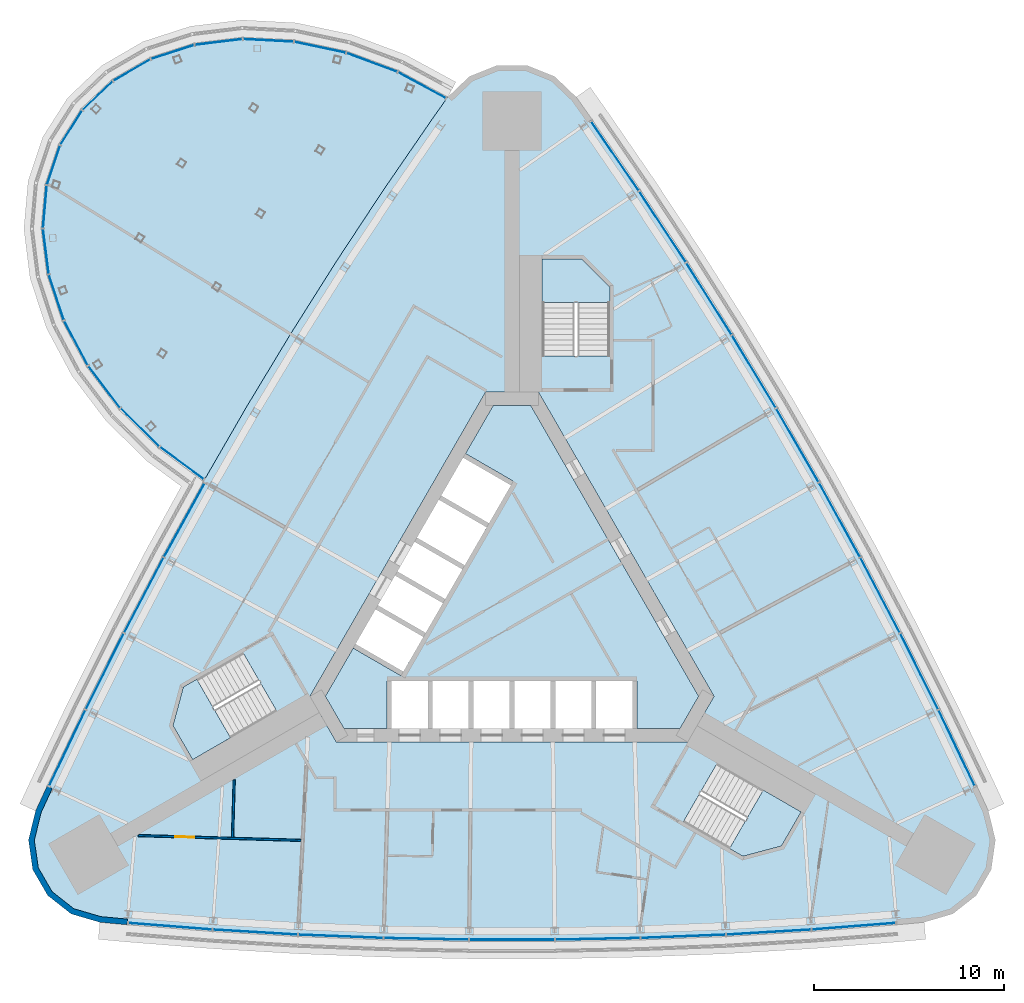
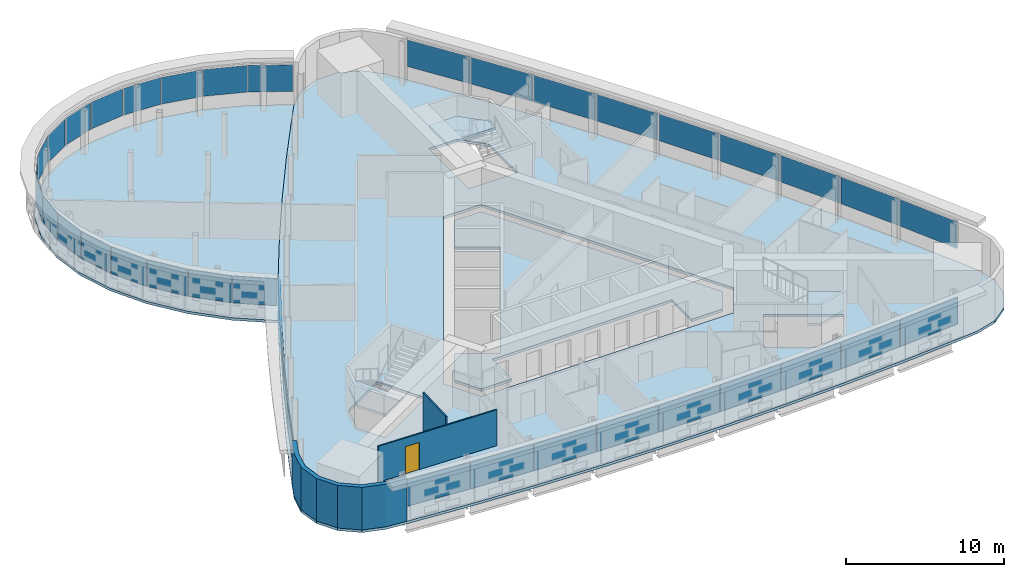
# One storey, part 9 of 16: 39 plates, 6 slabs, 3 walls, 1 door, 1 opening, 7 elements without a shape of their own.
"""IFC4 building model written with IfcOpenShell, lengths in metres."""

from ifc_helpers import new_model, si_unit, direction, frame, frame_2d, origin, origin_2d, place, context, subcontext, project, spatial, polyline, rectangle, outline, extrude, material, layer, layer_set, type_object, element, fill, aggregate, save


model = new_model("IFC4")

# Units and contexts
model_context = context("Model", 3, precision=1e-05, world=origin(), true_north=direction((0.0, 1.0)))
body_context = subcontext(model_context, "Body", "Model", "MODEL_VIEW")
ifc_project = project(units=[si_unit("LENGTHUNIT", "METRE"), si_unit("AREAUNIT", "SQUARE_METRE"), si_unit("VOLUMEUNIT", "CUBIC_METRE"), si_unit("PLANEANGLEUNIT", "RADIAN"), si_unit("MASSUNIT", "GRAM", prefix="KILO")], contexts=[model_context])

# Site, building, storey
site_placement = place(None, origin())
site = spatial("IfcSite", under=ifc_project, at=site_placement, CompositionType="ELEMENT")
building_placement = place(site_placement, origin())
building = spatial("IfcBuilding", under=site, at=building_placement, Name="Noor Cloister Tower", CompositionType="ELEMENT")
storey_placement = place(building_placement, frame((0.0, 0.0, 91.5)))
storey = spatial("IfcBuildingStorey", under=building, at=storey_placement, Name="L23", CompositionType="ELEMENT", Elevation=91.5)

# Slabs
ifc_material_1 = material(Name="Concrete C40/50", Category="concrete")
ifc_layer_1 = layer(ifc_material_1, 0.199951171875)
ifc_layer_set_1 = layer_set([ifc_layer_1], Name="Core floor slab 200 C40/50")
slab_type_1 = type_object("IfcSlabType", Name="Core floor slab 200 C40/50", PredefinedType="FLOOR", material=ifc_layer_set_1)
slab_1_placement = place(storey_placement, frame((0.0, 0.0, -0.199951171875)))
element("IfcSlab", 1, at=slab_1_placement, inside=storey, type_object=slab_type_1, Name="Core floor L23", PredefinedType="FLOOR", context=body_context, shape_type="SweptSolid", body=[
    extrude(outline(polyline([(-6.574951171875, -6.228271484375), (-6.574951171875, -3.728271484375), (6.574951171875, -3.728271484375), (6.574951171875, -6.228271484375), (8.82470703125, -6.228271484375), (9.80615234375, -4.5283203125), (0.9814453125, 10.75634765625), (-0.9814453125, 10.75634765625), (-2.44384765625, 8.2236328125), (0.067626953125, 6.773681640625), (-5.832275390625, -3.4453125), (-8.34375, -1.995361328125), (-9.80615234375, -4.5283203125), (-8.82470703125, -6.228271484375), (-6.574951171875, -6.228271484375)])), origin(), (0.0, 0.0, 1.0), 0.199951171875),
])
ifc_material_2 = material(Name="Concrete C40/50", Category="concrete")
ifc_layer_2 = layer(ifc_material_2, 0.199951171875)
ifc_layer_set_2 = layer_set([ifc_layer_2], Name="Floor slab 200 C40/50")
slab_type_2 = type_object("IfcSlabType", Name="Floor slab 200 C40/50", PredefinedType="FLOOR", material=ifc_layer_set_2)
slab_2_placement = place(storey_placement, frame((0.0, 0.0, -0.199951171875)))
element("IfcSlab", 2, at=slab_2_placement, inside=storey, type_object=slab_type_2, Name="Floor slab L23", PredefinedType="FLOOR", context=body_context, shape_type="SweptSolid", body=[
    extrude(outline(polyline([(3.37548828125, 26.95263671875), (2.240478515625, 28.035400390625), (0.784423828125, 28.61865234375), (-0.784423828125, 28.61865234375), (-2.240478515625, 28.035400390625), (-3.37548828125, 26.95263671875), (-4.204833984375, 25.77978515625), (-6.754150390625, 22.07177734375), (-9.230224609375, 18.314208984375), (-11.6318359375, 14.5087890625), (-13.9580078125, 10.65673828125), (-16.2080078125, 6.759765625), (-18.380859375, 2.819091796875), (-20.475830078125, -1.16357421875), (-22.49169921875, -5.1865234375), (-24.42822265625, -9.24853515625), (-25.029541015625, -10.552978515625), (-25.399658203125, -12.077392578125), (-25.1767578125, -13.630126953125), (-24.392333984375, -14.988525390625), (-23.1591796875, -15.958251953125), (-21.65380859375, -16.399658203125), (-20.2236328125, -16.53125), (-15.737548828125, -16.88525390625), (-11.245361328125, -17.150634765625), (-6.7490234375, -17.327880859375), (-2.25, -17.41650390625), (2.25, -17.41650390625), (6.7490234375, -17.327880859375), (11.245361328125, -17.150634765625), (15.737548828125, -16.88525390625), (20.2236328125, -16.53125), (21.65380859375, -16.399658203125), (23.1591796875, -15.958251953125), (24.392333984375, -14.988525390625), (25.1767578125, -13.630126953125), (25.399658203125, -12.077392578125), (25.029541015625, -10.552978515625), (24.42822265625, -9.24853515625), (22.49169921875, -5.1865234375), (20.475830078125, -1.16357421875), (18.380859375, 2.819091796875), (16.2080078125, 6.759765625), (13.9580078125, 10.65673828125), (11.6318359375, 14.5087890625), (9.230224609375, 18.314208984375), (6.754150390625, 22.07177734375), (4.204833984375, 25.77978515625), (3.37548828125, 26.95263671875)]), holes=[polyline([(8.999755859375, -11.126220703125), (12.131591796875, -12.934326171875), (14.1572265625, -12.3916015625), (15.19091796875, -10.601318359375), (10.774658203125, -8.0517578125), (8.999755859375, -11.126220703125)]), polyline([(-17.81005859375, -6.064697265625), (-16.776611328125, -7.85498046875), (-12.3603515625, -5.305419921875), (-14.13525390625, -2.23095703125), (-16.662841796875, -3.690185546875), (-17.267333984375, -4.039306640625), (-17.81005859375, -6.064697265625)]), polyline([(-10.6142578125, -4.5283203125), (-9.228759765625, -6.92822265625), (9.228759765625, -6.92822265625), (10.6142578125, -4.5283203125), (1.3857421875, 11.456298828125), (-1.3857421875, 11.456298828125), (-10.6142578125, -4.5283203125)]), polyline([(3.65283203125, 18.456298828125), (1.585693359375, 18.456298828125), (1.585693359375, 13.35693359375), (5.135498046875, 13.35693359375), (5.135498046875, 16.9736328125), (3.65283203125, 18.456298828125)])]), origin(), (0.0, 0.0, 1.0), 0.199951171875),
])

# Curtain wall, plates
ifc_material_3 = material(Name="Aluminium 6063-T6 anodised", Category="aluminium")
curtain_wall_type_1 = type_object("IfcCurtainWallType", Name="Ribbon curtain wall, lower tower CW1", PredefinedType="NOTDEFINED", material=ifc_material_3)
curtain_wall_1_placement = place(storey_placement, origin())
curtain_wall_1 = element("IfcCurtainWall", 3, at=curtain_wall_1_placement, inside=storey, type_object=curtain_wall_type_1, Name="CW1 L23 NW run 2", PredefinedType="NOTDEFINED")
ifc_material_4 = material(Name="Clear laminated glass 2 x 8 mm", Category="glass")
ifc_layer_3 = layer(ifc_material_4, 0.028076171875)
ifc_layer_set_3 = layer_set([ifc_layer_3], Name="Glass panel CW1")
plate_type_1 = type_object("IfcPlateType", Name="Glass panel CW1", PredefinedType="CURTAIN_PANEL", material=ifc_layer_set_3)
plate_1_placement = place(storey_placement, frame((-17.21630859375, 4.72412109375, 1.08984375), z_axis=(0.0, 0.0, 1.0), x_axis=(-0.482858038737, -0.875698643614, 0.0)))
plate_1 = element("IfcPlate", 4, at=plate_1_placement, type_object=plate_type_1, Name="CW1 glass panel 1", PredefinedType="CURTAIN_PANEL", context=body_context, shape_type="SweptSolid", body=[
    extrude(rectangle(XDim=4.39892578125, YDim=0.028076171875, at=origin_2d()), origin(), (0.0, 0.0, 1.0), 2.070068359375),
])
plate_2_placement = place(storey_placement, frame((-19.33984375, 0.78125, 1.08984375), z_axis=(0.0, 0.0, 1.0), x_axis=(-0.465528993936, -0.885032629797, 0.0)))
plate_2 = element("IfcPlate", 5, at=plate_2_placement, type_object=plate_type_1, Name="CW1 glass panel 2", PredefinedType="CURTAIN_PANEL", context=body_context, shape_type="SweptSolid", body=[
    extrude(rectangle(XDim=4.43798828125, YDim=0.028076171875, at=origin_2d()), origin(), (0.0, 0.0, 1.0), 2.070068359375),
])
plate_3_placement = place(storey_placement, frame((-21.394287109375, -3.2197265625, 1.08984375), z_axis=(0.0, 0.0, 1.0), x_axis=(-0.448019609919, -0.894023729622, 0.0)))
plate_3 = element("IfcPlate", 6, at=plate_3_placement, type_object=plate_type_1, Name="CW1 glass panel 3", PredefinedType="CURTAIN_PANEL", context=body_context, shape_type="SweptSolid", body=[
    extrude(rectangle(XDim=4.43798828125, YDim=0.028076171875, at=origin_2d()), origin(), (0.0, 0.0, 1.0), 2.070068359375),
])
plate_4_placement = place(storey_placement, frame((-23.361328125, -7.242919921875, 1.08984375), z_axis=(0.0, 0.0, 1.0), x_axis=(-0.430336639105, -0.902668475712, 0.0)))
plate_4 = element("IfcPlate", 7, at=plate_4_placement, type_object=plate_type_1, Name="CW1 glass panel 4", PredefinedType="CURTAIN_PANEL", context=body_context, shape_type="SweptSolid", body=[
    extrude(rectangle(XDim=4.39892578125, YDim=0.028076171875, at=origin_2d()), origin(), (0.0, 0.0, 1.0), 2.070068359375),
])
aggregate(curtain_wall_1, [plate_1, plate_2, plate_3, plate_4])

curtain_wall_2_placement = place(storey_placement, origin())
curtain_wall_2 = element("IfcCurtainWall", 8, at=curtain_wall_2_placement, inside=storey, type_object=curtain_wall_type_1, Name="CW1 L23 S run 3", PredefinedType="NOTDEFINED")
plate_5_placement = place(storey_placement, frame((-17.953125, -16.610107421875, 1.08984375), z_axis=(0.0, 0.0, 1.0), x_axis=(0.996902150714, -0.078651776212, 0.0)))
plate_5 = element("IfcPlate", 9, at=plate_5_placement, type_object=plate_type_1, Name="CW1 glass panel 1", PredefinedType="CURTAIN_PANEL", context=body_context, shape_type="SweptSolid", body=[
    extrude(rectangle(XDim=4.39892578125, YDim=0.028076171875, at=origin_2d()), origin(), (0.0, 0.0, 1.0), 2.070068359375),
])
plate_6_placement = place(storey_placement, frame((-13.485595703125, -16.918212890625, 1.08984375), z_axis=(0.0, 0.0, 1.0), x_axis=(0.998257066399, -0.059015501228, 0.0)))
plate_6 = element("IfcPlate", 10, at=plate_6_placement, type_object=plate_type_1, Name="CW1 glass panel 2", PredefinedType="CURTAIN_PANEL", context=body_context, shape_type="SweptSolid", body=[
    extrude(rectangle(XDim=4.43798828125, YDim=0.028076171875, at=origin_2d()), origin(), (0.0, 0.0, 1.0), 2.070068359375),
])
plate_7_placement = place(storey_placement, frame((-8.993408203125, -17.139404296875, 1.08984375), z_axis=(0.0, 0.0, 1.0), x_axis=(0.99922523755, -0.039356379951, 0.0)))
plate_7 = element("IfcPlate", 11, at=plate_7_placement, type_object=plate_type_1, Name="CW1 glass panel 3", PredefinedType="CURTAIN_PANEL", context=body_context, shape_type="SweptSolid", body=[
    extrude(rectangle(XDim=4.43798828125, YDim=0.028076171875, at=origin_2d()), origin(), (0.0, 0.0, 1.0), 2.070068359375),
])
plate_8_placement = place(storey_placement, frame((-4.49755859375, -17.272216796875, 1.08984375), z_axis=(0.0, 0.0, 1.0), x_axis=(0.999806290798, -0.019681993839, 0.0)))
plate_8 = element("IfcPlate", 12, at=plate_8_placement, type_object=plate_type_1, Name="CW1 glass panel 4", PredefinedType="CURTAIN_PANEL", context=body_context, shape_type="SweptSolid", body=[
    extrude(rectangle(XDim=4.43798828125, YDim=0.028076171875, at=origin_2d()), origin(), (0.0, 0.0, 1.0), 2.070068359375),
])
plate_9_placement = place(storey_placement, frame((0.0, -17.31640625, 1.08984375), z_axis=(0.0, 0.0, 1.0), x_axis=(1.0, 0.0, 0.0)))
plate_9 = element("IfcPlate", 13, at=plate_9_placement, type_object=plate_type_1, Name="CW1 glass panel 5", PredefinedType="CURTAIN_PANEL", context=body_context, shape_type="SweptSolid", body=[
    extrude(rectangle(XDim=4.43798828125, YDim=0.028076171875, at=origin_2d()), origin(), (0.0, 0.0, 1.0), 2.070068359375),
])
plate_10_placement = place(storey_placement, frame((4.49755859375, -17.272216796875, 1.08984375), z_axis=(0.0, 0.0, 1.0), x_axis=(0.999806290798, 0.019681993839, 0.0)))
plate_10 = element("IfcPlate", 14, at=plate_10_placement, type_object=plate_type_1, Name="CW1 glass panel 6", PredefinedType="CURTAIN_PANEL", context=body_context, shape_type="SweptSolid", body=[
    extrude(rectangle(XDim=4.43798828125, YDim=0.028076171875, at=origin_2d()), origin(), (0.0, 0.0, 1.0), 2.070068359375),
])
plate_11_placement = place(storey_placement, frame((8.993408203125, -17.139404296875, 1.08984375), z_axis=(0.0, 0.0, 1.0), x_axis=(0.99922523755, 0.039356379951, 0.0)))
plate_11 = element("IfcPlate", 15, at=plate_11_placement, type_object=plate_type_1, Name="CW1 glass panel 7", PredefinedType="CURTAIN_PANEL", context=body_context, shape_type="SweptSolid", body=[
    extrude(rectangle(XDim=4.43798828125, YDim=0.028076171875, at=origin_2d()), origin(), (0.0, 0.0, 1.0), 2.070068359375),
])
plate_12_placement = place(storey_placement, frame((13.485595703125, -16.918212890625, 1.08984375), z_axis=(0.0, 0.0, 1.0), x_axis=(0.998257066399, 0.059015501228, 0.0)))
plate_12 = element("IfcPlate", 16, at=plate_12_placement, type_object=plate_type_1, Name="CW1 glass panel 8", PredefinedType="CURTAIN_PANEL", context=body_context, shape_type="SweptSolid", body=[
    extrude(rectangle(XDim=4.43798828125, YDim=0.028076171875, at=origin_2d()), origin(), (0.0, 0.0, 1.0), 2.070068359375),
])
plate_13_placement = place(storey_placement, frame((17.953125, -16.610107421875, 1.08984375), z_axis=(0.0, 0.0, 1.0), x_axis=(0.996902150714, 0.078651776212, 0.0)))
plate_13 = element("IfcPlate", 17, at=plate_13_placement, type_object=plate_type_1, Name="CW1 glass panel 9", PredefinedType="CURTAIN_PANEL", context=body_context, shape_type="SweptSolid", body=[
    extrude(rectangle(XDim=4.39892578125, YDim=0.028076171875, at=origin_2d()), origin(), (0.0, 0.0, 1.0), 2.070068359375),
])
aggregate(curtain_wall_2, [plate_5, plate_6, plate_7, plate_8, plate_9, plate_10, plate_11, plate_12, plate_13])

curtain_wall_3_placement = place(storey_placement, origin())
curtain_wall_3 = element("IfcCurtainWall", 18, at=curtain_wall_3_placement, inside=storey, type_object=curtain_wall_type_1, Name="CW1 L23 NE run 4", PredefinedType="NOTDEFINED")
plate_14_placement = place(storey_placement, frame((23.361328125, -7.242919921875, 1.08984375), z_axis=(0.0, 0.0, 1.0), x_axis=(-0.430336639105, 0.902668475712, 0.0)))
plate_14 = element("IfcPlate", 19, at=plate_14_placement, type_object=plate_type_1, Name="CW1 glass panel 1", PredefinedType="CURTAIN_PANEL", context=body_context, shape_type="SweptSolid", body=[
    extrude(rectangle(XDim=4.39892578125, YDim=0.028076171875, at=origin_2d()), origin(), (0.0, 0.0, 1.0), 2.070068359375),
])
plate_15_placement = place(storey_placement, frame((21.394287109375, -3.2197265625, 1.08984375), z_axis=(0.0, 0.0, 1.0), x_axis=(-0.448019609919, 0.894023729622, 0.0)))
plate_15 = element("IfcPlate", 20, at=plate_15_placement, type_object=plate_type_1, Name="CW1 glass panel 2", PredefinedType="CURTAIN_PANEL", context=body_context, shape_type="SweptSolid", body=[
    extrude(rectangle(XDim=4.43798828125, YDim=0.028076171875, at=origin_2d()), origin(), (0.0, 0.0, 1.0), 2.070068359375),
])
plate_16_placement = place(storey_placement, frame((19.33984375, 0.78125, 1.08984375), z_axis=(0.0, 0.0, 1.0), x_axis=(-0.465528993936, 0.885032629797, 0.0)))
plate_16 = element("IfcPlate", 21, at=plate_16_placement, type_object=plate_type_1, Name="CW1 glass panel 3", PredefinedType="CURTAIN_PANEL", context=body_context, shape_type="SweptSolid", body=[
    extrude(rectangle(XDim=4.43798828125, YDim=0.028076171875, at=origin_2d()), origin(), (0.0, 0.0, 1.0), 2.070068359375),
])
plate_17_placement = place(storey_placement, frame((17.206787109375, 4.7412109375, 1.08984375), z_axis=(0.0, 0.0, 1.0), x_axis=(-0.482858038737, 0.875698643614, 0.0)))
plate_17 = element("IfcPlate", 22, at=plate_17_placement, type_object=plate_type_1, Name="CW1 glass panel 4", PredefinedType="CURTAIN_PANEL", context=body_context, shape_type="SweptSolid", body=[
    extrude(rectangle(XDim=4.43798828125, YDim=0.028076171875, at=origin_2d()), origin(), (0.0, 0.0, 1.0), 2.070068359375),
])
plate_18_placement = place(storey_placement, frame((14.996337890625, 8.658203125, 1.08984375), z_axis=(0.0, 0.0, 1.0), x_axis=(-0.5, 0.866025403784, 0.0)))
plate_18 = element("IfcPlate", 23, at=plate_18_placement, type_object=plate_type_1, Name="CW1 glass panel 5", PredefinedType="CURTAIN_PANEL", context=body_context, shape_type="SweptSolid", body=[
    extrude(rectangle(XDim=4.43798828125, YDim=0.028076171875, at=origin_2d()), origin(), (0.0, 0.0, 1.0), 2.070068359375),
])
plate_19_placement = place(storey_placement, frame((12.70947265625, 12.531005859375, 1.08984375), z_axis=(0.0, 0.0, 1.0), x_axis=(-0.516948252061, 0.856016649775, 0.0)))
plate_19 = element("IfcPlate", 24, at=plate_19_placement, type_object=plate_type_1, Name="CW1 glass panel 6", PredefinedType="CURTAIN_PANEL", context=body_context, shape_type="SweptSolid", body=[
    extrude(rectangle(XDim=4.43798828125, YDim=0.028076171875, at=origin_2d()), origin(), (0.0, 0.0, 1.0), 2.070068359375),
])
plate_20_placement = place(storey_placement, frame((10.346435546875, 16.358154296875, 1.08984375), z_axis=(0.0, 0.0, 1.0), x_axis=(-0.533696243614, 0.845676249845, 0.0)))
plate_20 = element("IfcPlate", 25, at=plate_20_placement, type_object=plate_type_1, Name="CW1 glass panel 7", PredefinedType="CURTAIN_PANEL", context=body_context, shape_type="SweptSolid", body=[
    extrude(rectangle(XDim=4.43798828125, YDim=0.028076171875, at=origin_2d()), origin(), (0.0, 0.0, 1.0), 2.070068359375),
])
plate_21_placement = place(storey_placement, frame((7.90869140625, 20.137939453125, 1.08984375), z_axis=(0.0, 0.0, 1.0), x_axis=(-0.550237456479, 0.835008228395, 0.0)))
plate_21 = element("IfcPlate", 26, at=plate_21_placement, type_object=plate_type_1, Name="CW1 glass panel 8", PredefinedType="CURTAIN_PANEL", context=body_context, shape_type="SweptSolid", body=[
    extrude(rectangle(XDim=4.43798828125, YDim=0.028076171875, at=origin_2d()), origin(), (0.0, 0.0, 1.0), 2.070068359375),
])
plate_22_placement = place(storey_placement, frame((5.408203125, 23.85302734375, 1.08984375), z_axis=(0.0, 0.0, 1.0), x_axis=(-0.566565511609, 0.8240166995, 0.0)))
plate_22 = element("IfcPlate", 27, at=plate_22_placement, type_object=plate_type_1, Name="CW1 glass panel 9", PredefinedType="CURTAIN_PANEL", context=body_context, shape_type="SweptSolid", body=[
    extrude(rectangle(XDim=4.39892578125, YDim=0.028076171875, at=origin_2d()), origin(), (0.0, 0.0, 1.0), 2.070068359375),
])
aggregate(curtain_wall_3, [plate_14, plate_15, plate_16, plate_17, plate_18, plate_19, plate_20, plate_21, plate_22])

ifc_material_5 = material(Name="Aluminium 6063-T6 anodised", Category="aluminium")
curtain_wall_type_2 = type_object("IfcCurtainWallType", Name="Sky bar curtain wall, lower bars CW2", PredefinedType="NOTDEFINED", material=ifc_material_5)
curtain_wall_4_placement = place(storey_placement, origin())
curtain_wall_4 = element("IfcCurtainWall", 28, at=curtain_wall_4_placement, inside=storey, type_object=curtain_wall_type_2, Name="CW2 L23 NW sky bar run 1", PredefinedType="NOTDEFINED")
ifc_material_6 = material(Name="Clear laminated glass 2 x 8 mm", Category="glass")
ifc_layer_4 = layer(ifc_material_6, 0.028076171875)
ifc_layer_set_4 = layer_set([ifc_layer_4], Name="Glass panel CW2")
plate_type_2 = type_object("IfcPlateType", Name="Glass panel CW2", PredefinedType="CURTAIN_PANEL", material=ifc_layer_set_4)
plate_23_placement = place(storey_placement, frame((-4.73291015625, 27.5751953125, 1.08984375), z_axis=(0.0, 0.0, 1.0), x_axis=(-0.879047686992, 0.476733850271, 0.0)))
plate_23 = element("IfcPlate", 29, at=plate_23_placement, type_object=plate_type_2, Name="CW2 glass panel 1", PredefinedType="CURTAIN_PANEL", context=body_context, shape_type="SweptSolid", body=[
    extrude(rectangle(XDim=2.83984375, YDim=0.028076171875, at=origin_2d()), origin(), (0.0, 0.0, 1.0), 2.070068359375),
])
plate_24_placement = place(storey_placement, frame((-7.361328125, 28.7705078125, 1.08984375), z_axis=(0.0, 0.0, 1.0), x_axis=(-0.937123819566, 0.348997058443, 0.0)))
plate_24 = element("IfcPlate", 30, at=plate_24_placement, type_object=plate_type_2, Name="CW2 glass panel 2", PredefinedType="CURTAIN_PANEL", context=body_context, shape_type="SweptSolid", body=[
    extrude(rectangle(XDim=2.828857421875, YDim=0.028076171875, at=origin_2d()), origin(), (0.0, 0.0, 1.0), 2.070068359375),
])
plate_25_placement = place(storey_placement, frame((-10.0869140625, 29.566650390625, 1.08984375), z_axis=(0.0, 0.0, 1.0), x_axis=(-0.978091544685, 0.208175239201, 0.0)))
plate_25 = element("IfcPlate", 31, at=plate_25_placement, type_object=plate_type_2, Name="CW2 glass panel 3", PredefinedType="CURTAIN_PANEL", context=body_context, shape_type="SweptSolid", body=[
    extrude(rectangle(XDim=2.744873046875, YDim=0.028076171875, at=origin_2d()), origin(), (0.0, 0.0, 1.0), 2.070068359375),
])
plate_26_placement = place(storey_placement, frame((-12.801513671875, 29.9287109375, 1.08984375), z_axis=(0.0, 0.0, 1.0), x_axis=(-0.998642464858, 0.052088649262, 0.0)))
plate_26 = element("IfcPlate", 32, at=plate_26_placement, type_object=plate_type_2, Name="CW2 glass panel 4", PredefinedType="CURTAIN_PANEL", context=body_context, shape_type="SweptSolid", body=[
    extrude(rectangle(XDim=2.62890625, YDim=0.028076171875, at=origin_2d()), origin(), (0.0, 0.0, 1.0), 2.070068359375),
])
plate_27_placement = place(storey_placement, frame((-15.412109375, 29.8447265625, 1.08984375), z_axis=(0.0, 0.0, 1.0), x_axis=(-0.992712056582, -0.12051046725, 0.0)))
plate_27 = element("IfcPlate", 33, at=plate_27_placement, type_object=plate_type_2, Name="CW2 glass panel 5", PredefinedType="CURTAIN_PANEL", context=body_context, shape_type="SweptSolid", body=[
    extrude(rectangle(XDim=2.493896484375, YDim=0.028076171875, at=origin_2d()), origin(), (0.0, 0.0, 1.0), 2.070068359375),
])
plate_28_placement = place(storey_placement, frame((-17.82958984375, 29.31884765625, 1.08984375), z_axis=(0.0, 0.0, 1.0), x_axis=(-0.9514061289, -0.307938919091, 0.0)))
plate_28 = element("IfcPlate", 34, at=plate_28_placement, type_object=plate_type_2, Name="CW2 glass panel 6", PredefinedType="CURTAIN_PANEL", context=body_context, shape_type="SweptSolid", body=[
    extrude(rectangle(XDim=2.356201171875, YDim=0.028076171875, at=origin_2d()), origin(), (0.0, 0.0, 1.0), 2.070068359375),
])
plate_29_placement = place(storey_placement, frame((-19.971435546875, 28.36962890625, 1.08984375), z_axis=(0.0, 0.0, 1.0), x_axis=(-0.864505116655, -0.502624017808, 0.0)))
plate_29 = element("IfcPlate", 35, at=plate_29_placement, type_object=plate_type_2, Name="CW2 glass panel 7", PredefinedType="CURTAIN_PANEL", context=body_context, shape_type="SweptSolid", body=[
    extrude(rectangle(XDim=2.235595703125, YDim=0.028076171875, at=origin_2d()), origin(), (0.0, 0.0, 1.0), 2.070068359375),
])
plate_30_placement = place(storey_placement, frame((-21.76611328125, 27.03076171875, 1.08984375), z_axis=(0.0, 0.0, 1.0), x_axis=(-0.725047879646, -0.688698462479, 0.0)))
plate_30 = element("IfcPlate", 36, at=plate_30_placement, type_object=plate_type_2, Name="CW2 glass panel 8", PredefinedType="CURTAIN_PANEL", context=body_context, shape_type="SweptSolid", body=[
    extrude(rectangle(XDim=2.152099609375, YDim=0.028076171875, at=origin_2d()), origin(), (0.0, 0.0, 1.0), 2.070068359375),
])
plate_31_placement = place(storey_placement, frame((-23.15380859375, 25.34765625, 1.08984375), z_axis=(0.0, 0.0, 1.0), x_axis=(-0.53635025801, -0.843995498052, 0.0)))
plate_31 = element("IfcPlate", 37, at=plate_31_placement, type_object=plate_type_2, Name="CW2 glass panel 9", PredefinedType="CURTAIN_PANEL", context=body_context, shape_type="SweptSolid", body=[
    extrude(rectangle(XDim=2.122314453125, YDim=0.028076171875, at=origin_2d()), origin(), (0.0, 0.0, 1.0), 2.070068359375),
])
plate_32_placement = place(storey_placement, frame((-24.08837890625, 23.37646484375, 1.08984375), z_axis=(0.0, 0.0, 1.0), x_axis=(-0.315619674124, -0.948885778851, 0.0)))
plate_32 = element("IfcPlate", 38, at=plate_32_placement, type_object=plate_type_2, Name="CW2 glass panel 10", PredefinedType="CURTAIN_PANEL", context=body_context, shape_type="SweptSolid", body=[
    extrude(rectangle(XDim=2.152099609375, YDim=0.028076171875, at=origin_2d()), origin(), (0.0, 0.0, 1.0), 2.070068359375),
])
plate_33_placement = place(storey_placement, frame((-24.53857421875, 21.18310546875, 1.08984375), z_axis=(0.0, 0.0, 1.0), x_axis=(-0.087934891536, -0.996126224356, 0.0)))
plate_33 = element("IfcPlate", 39, at=plate_33_placement, type_object=plate_type_2, Name="CW2 glass panel 11", PredefinedType="CURTAIN_PANEL", context=body_context, shape_type="SweptSolid", body=[
    extrude(rectangle(XDim=2.235595703125, YDim=0.028076171875, at=origin_2d()), origin(), (0.0, 0.0, 1.0), 2.070068359375),
])
plate_34_placement = place(storey_placement, frame((-24.488037109375, 18.8408203125, 1.08984375), z_axis=(0.0, 0.0, 1.0), x_axis=(0.125227226329, -0.992128087389, 0.0)))
plate_34 = element("IfcPlate", 40, at=plate_34_placement, type_object=plate_type_2, Name="CW2 glass panel 12", PredefinedType="CURTAIN_PANEL", context=body_context, shape_type="SweptSolid", body=[
    extrude(rectangle(XDim=2.356201171875, YDim=0.028076171875, at=origin_2d()), origin(), (0.0, 0.0, 1.0), 2.070068359375),
])
plate_35_placement = place(storey_placement, frame((-23.937744140625, 16.4287109375, 1.08984375), z_axis=(0.0, 0.0, 1.0), x_axis=(0.312457260775, -0.949931818705, 0.0)))
plate_35 = element("IfcPlate", 41, at=plate_35_placement, type_object=plate_type_2, Name="CW2 glass panel 13", PredefinedType="CURTAIN_PANEL", context=body_context, shape_type="SweptSolid", body=[
    extrude(rectangle(XDim=2.493896484375, YDim=0.028076171875, at=origin_2d()), origin(), (0.0, 0.0, 1.0), 2.070068359375),
])
plate_36_placement = place(storey_placement, frame((-22.905029296875, 14.029541015625, 1.08984375), z_axis=(0.0, 0.0, 1.0), x_axis=(0.471239018454, -0.882005548444, 0.0)))
plate_36 = element("IfcPlate", 42, at=plate_36_placement, type_object=plate_type_2, Name="CW2 glass panel 14", PredefinedType="CURTAIN_PANEL", context=body_context, shape_type="SweptSolid", body=[
    extrude(rectangle(XDim=2.62890625, YDim=0.028076171875, at=origin_2d()), origin(), (0.0, 0.0, 1.0), 2.070068359375),
])
plate_37_placement = place(storey_placement, frame((-21.424560546875, 11.725830078125, 1.08984375), z_axis=(0.0, 0.0, 1.0), x_axis=(0.603825610907, -0.797116447963, 0.0)))
plate_37 = element("IfcPlate", 43, at=plate_37_placement, type_object=plate_type_2, Name="CW2 glass panel 15", PredefinedType="CURTAIN_PANEL", context=body_context, shape_type="SweptSolid", body=[
    extrude(rectangle(XDim=2.744873046875, YDim=0.028076171875, at=origin_2d()), origin(), (0.0, 0.0, 1.0), 2.070068359375),
])
plate_38_placement = place(storey_placement, frame((-19.54638671875, 9.59619140625, 1.08984375), z_axis=(0.0, 0.0, 1.0), x_axis=(0.713922028433, -0.700225204715, 0.0)))
plate_38 = element("IfcPlate", 44, at=plate_38_placement, type_object=plate_type_2, Name="CW2 glass panel 16", PredefinedType="CURTAIN_PANEL", context=body_context, shape_type="SweptSolid", body=[
    extrude(rectangle(XDim=2.828857421875, YDim=0.028076171875, at=origin_2d()), origin(), (0.0, 0.0, 1.0), 2.070068359375),
])
plate_39_placement = place(storey_placement, frame((-17.347900390625, 7.724365234375, 1.08984375), z_axis=(0.0, 0.0, 1.0), x_axis=(0.804906671058, -0.593401424742, 0.0)))
plate_39 = element("IfcPlate", 45, at=plate_39_placement, type_object=plate_type_2, Name="CW2 glass panel 17", PredefinedType="CURTAIN_PANEL", context=body_context, shape_type="SweptSolid", body=[
    extrude(rectangle(XDim=2.83984375, YDim=0.028076171875, at=origin_2d()), origin(), (0.0, 0.0, 1.0), 2.070068359375),
])
aggregate(curtain_wall_4, [plate_23, plate_24, plate_25, plate_26, plate_27, plate_28, plate_29, plate_30, plate_31, plate_32, plate_33, plate_34, plate_35, plate_36, plate_37, plate_38, plate_39])

# Slab
ifc_material_7 = material(Name="Concrete C40/50", Category="concrete")
ifc_layer_5 = layer(ifc_material_7, 0.199951171875)
ifc_layer_set_5 = layer_set([ifc_layer_5], Name="Pod floor slab 200")
slab_type_3 = type_object("IfcSlabType", Name="Pod floor slab 200", PredefinedType="FLOOR", material=ifc_layer_set_5)
slab_3_placement = place(storey_placement, frame((0.0, 0.0, -0.199951171875)))
element("IfcSlab", 46, at=slab_3_placement, inside=storey, type_object=slab_type_3, Name="Pod floor slab L23", PredefinedType="FLOOR", context=body_context, shape_type="SweptSolid", body=[
    extrude(outline(polyline([(-3.37548828125, 26.95263671875), (-5.96630859375, 28.357666015625), (-8.68701171875, 29.370849609375), (-11.445556640625, 29.9580078125), (-14.147705078125, 30.098876953125), (-16.70166015625, 29.7890625), (-19.02001953125, 29.03857421875), (-21.0244140625, 27.873291015625), (-22.646240234375, 26.332763671875), (-23.830078125, 24.469482421875), (-24.5361328125, 22.34716796875), (-24.739990234375, 20.03759765625), (-24.434814453125, 17.619873046875), (-23.631103515625, 15.17626953125), (-22.35595703125, 12.78955078125), (-20.65283203125, 10.54150390625), (-18.580078125, 8.508544921875), (-16.2080078125, 6.759765625), (-13.9580078125, 10.65673828125), (-11.6318359375, 14.5087890625), (-9.230224609375, 18.314208984375), (-6.754150390625, 22.07177734375), (-4.204833984375, 25.77978515625), (-3.37548828125, 26.95263671875)])), origin(), (0.0, 0.0, 1.0), 0.199951171875),
])

# Stair, slab
ifc_material_8 = material(Name="Concrete C40/50", Category="concrete")
stair_type = type_object("IfcStairType", Name="Exit stair 22 risers", PredefinedType="HALF_TURN_STAIR", material=ifc_material_8)
stair_1_placement = place(storey_placement, origin())
stair_1 = element("IfcStair", 47, at=stair_1_placement, inside=storey, type_object=stair_type, Name="Exit stair ST1 L23", PredefinedType="HALF_TURN_STAIR")
ifc_material_9 = material(Name="Concrete C40/50", Category="concrete")
ifc_layer_6 = layer(ifc_material_9, 0.199951171875)
ifc_layer_set_6 = layer_set([ifc_layer_6], Name="Stair landing 200 C40/50")
slab_type_4 = type_object("IfcSlabType", Name="Stair landing 200 C40/50", PredefinedType="LANDING", material=ifc_layer_set_6)
slab_4_placement = place(storey_placement, frame((0.0, 0.0, 1.60009765625)))
slab_4 = element("IfcSlab", 48, at=slab_4_placement, type_object=slab_type_4, Name="ST1 landing 1", PredefinedType="LANDING", context=body_context, shape_type="SweptSolid", body=[
    extrude(outline(polyline([(5.135498046875, 16.15576171875), (5.135498046875, 16.9736328125), (3.65283203125, 18.456298828125), (1.585693359375, 18.456298828125), (1.585693359375, 16.15576171875), (5.135498046875, 16.15576171875)])), origin(), (0.0, 0.0, 1.0), 0.199951171875),
])
aggregate(stair_1, [slab_4])

stair_2_placement = place(storey_placement, origin())
stair_2 = element("IfcStair", 49, at=stair_2_placement, inside=storey, type_object=stair_type, Name="Exit stair ST2 L23", PredefinedType="HALF_TURN_STAIR")
slab_5_placement = place(storey_placement, frame((0.0, 0.0, 1.60009765625)))
slab_5 = element("IfcSlab", 50, at=slab_5_placement, type_object=slab_type_4, Name="ST2 landing 1", PredefinedType="LANDING", context=body_context, shape_type="SweptSolid", body=[
    extrude(outline(polyline([(-16.55908203125, -3.63037109375), (-17.267333984375, -4.039306640625), (-17.81005859375, -6.064697265625), (-16.776611328125, -7.85498046875), (-14.7841796875, -6.70458984375), (-16.55908203125, -3.63037109375)])), origin(), (0.0, 0.0, 1.0), 0.199951171875),
])
aggregate(stair_2, [slab_5])

stair_3_placement = place(storey_placement, origin())
stair_3 = element("IfcStair", 51, at=stair_3_placement, inside=storey, type_object=stair_type, Name="Exit stair ST3 L23", PredefinedType="HALF_TURN_STAIR")
slab_6_placement = place(storey_placement, frame((0.0, 0.0, 1.60009765625)))
slab_6 = element("IfcSlab", 52, at=slab_6_placement, type_object=slab_type_4, Name="ST3 landing 1", PredefinedType="LANDING", context=body_context, shape_type="SweptSolid", body=[
    extrude(outline(polyline([(11.423583984375, -12.525390625), (12.131591796875, -12.934326171875), (14.1572265625, -12.3916015625), (15.19091796875, -10.601318359375), (13.198486328125, -9.451171875), (11.423583984375, -12.525390625)])), origin(), (0.0, 0.0, 1.0), 0.199951171875),
])
aggregate(stair_3, [slab_6])

# Wall
ifc_material_10 = material(Name="Limestone", Category="masonry")
ifc_layer_7 = layer(ifc_material_10, 0.300048828125)
ifc_layer_set_7 = layer_set([ifc_layer_7], Name="Limestone cladding 300")
wall_type_1 = type_object("IfcWallType", Name="Limestone cladding 300", PredefinedType="NOTDEFINED", material=ifc_layer_set_7)
wall_1_placement = place(storey_placement, origin())
element("IfcWall", 53, at=wall_1_placement, inside=storey, type_object=wall_type_1, Name="Limestone pier cladding L23 1.1", PredefinedType="NOTDEFINED", context=body_context, shape_type="SweptSolid", body=[
    extrude(outline(polyline([(-24.42822265625, -9.24853515625), (-25.029541015625, -10.552978515625), (-25.399658203125, -12.077392578125), (-25.1767578125, -13.630126953125), (-24.392333984375, -14.988525390625), (-23.1591796875, -15.958251953125), (-21.65380859375, -16.399658203125), (-20.2236328125, -16.53125), (-20.196044921875, -16.232421875), (-21.597412109375, -16.103515625), (-23.019287109375, -15.6865234375), (-24.161376953125, -14.78857421875), (-24.887939453125, -13.5302734375), (-25.094482421875, -12.092041015625), (-24.744873046875, -10.652099609375), (-24.15576171875, -9.3740234375), (-24.42822265625, -9.24853515625)])), origin(), (0.0, 0.0, 1.0), 3.300048828125),
])

# Wall, opening, door
ifc_material_11 = material(Name="Gypsum board partition on steel studs, 100 mm", Category="steel")
ifc_layer_8 = layer(ifc_material_11, 0.10009765625)
ifc_layer_set_8 = layer_set([ifc_layer_8], Name="Partition 100")
wall_type_2 = type_object("IfcWallType", Name="Partition 100", PredefinedType="PARTITIONING", material=ifc_layer_set_8)
wall_2_placement = place(storey_placement, frame((-19.630126953125, -11.844482421875, 0.0), z_axis=(0.0, 0.0, 1.0), x_axis=(0.999564712957, -0.02950228145, 0.0)))
wall_2 = element("IfcWall", 54, at=wall_2_placement, inside=storey, type_object=wall_type_2, Name="Partition 100 L23 022", PredefinedType="PARTITIONING", context=body_context, shape_type="SweptSolid", body=[
    extrude(rectangle(XDim=8.54833984375, YDim=0.10009765625, at=frame_2d((4.274169921875, 0.0))), origin(), (0.0, 0.0, 1.0), 2.778076171875),
])
opening_placement = place(wall_2_placement, frame((1.94921875, 0.0, 0.0)))
opening = element("IfcOpeningElement", 55, at=opening_placement, cuts=wall_2, Name="Opening L23-013", PredefinedType="OPENING", context=body_context, shape_type="SweptSolid", body=[
    extrude(rectangle(XDim=1.0, YDim=2.10009765625, at=frame_2d((0.5, 1.050048828125))), frame((0.0, 0.06005859375, 0.0), z_axis=(0.0, -1.0, 0.0), x_axis=(1.0, 0.0, 0.0)), (0.0, 0.0, 1.0), 0.1201171875),
])
ifc_material_12 = material(Name="Timber door leaf with steel frame", Category="steel")
door_type = type_object("IfcDoorType", Name="Interior door 1000", OperationType="NOTDEFINED", PredefinedType="DOOR", material=ifc_material_12)
door_placement = place(opening_placement, origin())
door = element("IfcDoor", 56, at=door_placement, inside=storey, type_object=door_type, Name="Interior door 1000 L23-013", OperationType="SINGLE_SWING_LEFT", OverallHeight=2.10009765625, OverallWidth=1.0, PredefinedType="DOOR", context=body_context, shape_type="SweptSolid", body=[
    extrude(rectangle(XDim=1.0, YDim=2.10009765625, at=frame_2d((0.5, 1.050048828125))), frame((0.0, 0.02490234375, 0.0), z_axis=(0.0, -1.0, 0.0), x_axis=(1.0, 0.0, 0.0)), (0.0, 0.0, 1.0), 0.050048828125),
])
fill(opening, door)

# Wall
wall_3_placement = place(storey_placement, frame((-14.682373046875, -11.9404296875, 0.0), z_axis=(0.0, 0.0, 1.0), x_axis=(0.029546132361, 0.999563417729, 0.0)))
element("IfcWall", 57, at=wall_3_placement, inside=storey, type_object=wall_type_2, Name="Partition 100 L23 030", PredefinedType="PARTITIONING", context=body_context, shape_type="SweptSolid", body=[
    extrude(rectangle(XDim=3.024169921875, YDim=0.10009765625, at=frame_2d((1.51220703125, 0.0))), origin(), (0.0, 0.0, 1.0), 3.39990234375),
])

save(model, "model.ifc")
